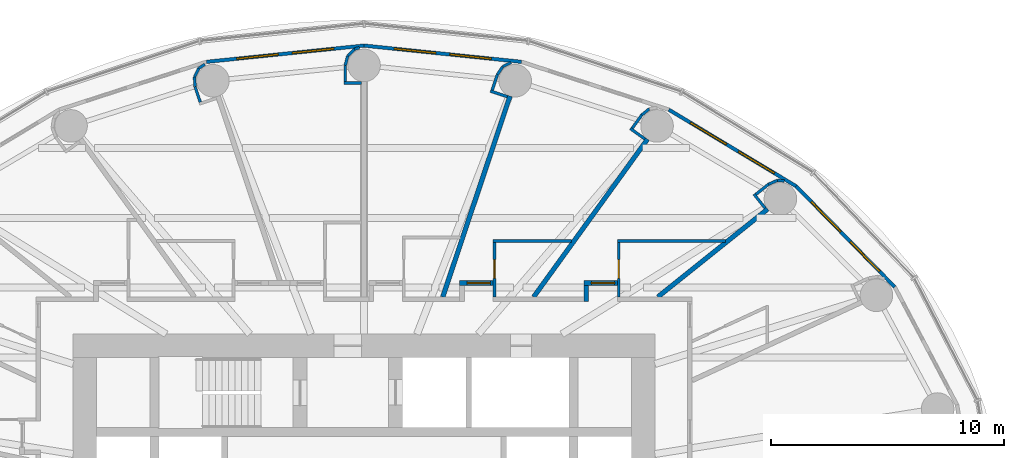
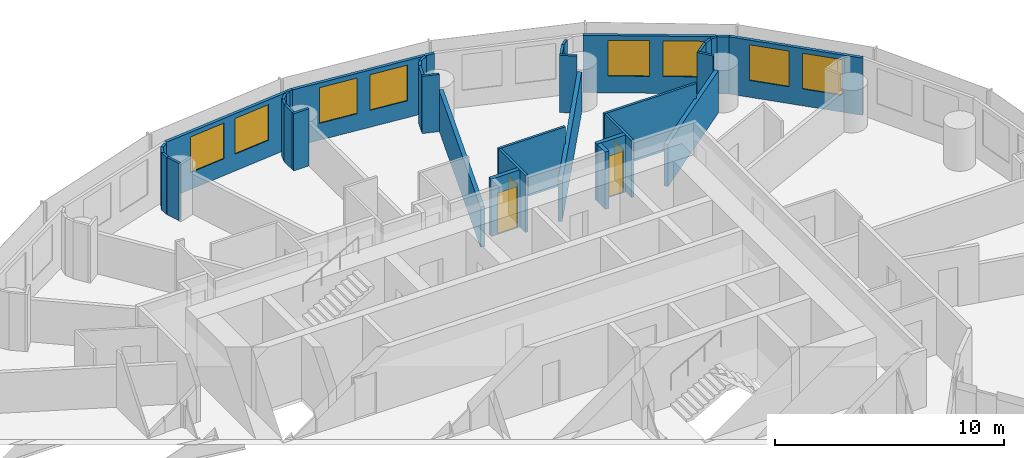
# One storey, part 12 of 14: 34 walls, 8 windows, 4 doors, 12 openings.
"""IFC4 building model written with IfcOpenShell, lengths in metres."""

import ifcopenshell
import ifcopenshell.guid

model = None  # the IFC model being written
_history = None  # IfcOwnerHistory: only IFC2X3 demands one
_inside = {}  # id of a spatial element -> (the spatial element, [elements in it])
_under = {}  # id of a project, library or spatial element -> (it, [spatial elements below it])
_declared = {}  # id of a project -> (the project, [libraries it declares])
_typed = {}  # id of a type object -> (the type object, [elements of that type])
_made_of = {}  # id of a material, layer set ... -> (it, [elements and type objects made of it])


def new_model(schema):
    """Start an empty IFC model of exactly this schema.

    Asked for "IFC4X3", IfcOpenShell would pick the latest addendum, in which some entities
    have other attributes; the version numbers below select the first issue.
    IFC2X3 requires an IfcOwnerHistory on every rooted entity: one is made here for all.
    """
    global model, _history
    if schema == "IFC4X3":
        model = ifcopenshell.file(schema_version=(4, 3, 0, 0))
    else:
        model = ifcopenshell.file(schema=schema)
    _inside.clear()
    _under.clear()
    _declared.clear()
    _typed.clear()
    _made_of.clear()
    _history = None
    if model.schema == "IFC2X3":
        org = make("IfcOrganization", Name="unknown")
        user = make(
            "IfcPersonAndOrganization",
            ThePerson=make("IfcPerson", FamilyName="unknown"),
            TheOrganization=org,
        )
        app = make(
            "IfcApplication",
            ApplicationDeveloper=org,
            Version="unknown",
            ApplicationFullName="unknown",
            ApplicationIdentifier="unknown",
        )
        _history = make(
            "IfcOwnerHistory",
            OwningUser=user,
            OwningApplication=app,
            ChangeAction="ADDED",
            CreationDate=0,
        )
    return model


def make(cls, **values):
    """One entity of the class cls with the attributes given. An attribute that is None is left unset."""
    return model.create_entity(
        cls, **{name: value for name, value in values.items() if value is not None}
    )


def rooted(cls, **values):
    """An entity with a GlobalId (a new one), such as an element, a storey or a relation."""
    return make(cls, GlobalId=ifcopenshell.guid.new(), OwnerHistory=_history, **values)


def si_unit(unit_type, name, prefix=None):
    """IfcSIUnit, for example si_unit("LENGTHUNIT", "METRE", prefix="MILLI")."""
    return make("IfcSIUnit", UnitType=unit_type, Prefix=prefix, Name=name)


def assignment(units):
    """IfcUnitAssignment: the units of a project."""
    return None if units is None else make("IfcUnitAssignment", Units=units)


def point(xyz):
    """IfcCartesianPoint."""
    return None if xyz is None else make("IfcCartesianPoint", Coordinates=xyz)


def direction(xyz):
    """IfcDirection."""
    return None if xyz is None else make("IfcDirection", DirectionRatios=xyz)


def frame(location, z_axis=None, x_axis=None):
    """IfcAxis2Placement3D, a coordinate frame: its origin and axes. An axis left out is left unset."""
    return make(
        "IfcAxis2Placement3D",
        Location=point(location),
        Axis=direction(z_axis),
        RefDirection=direction(x_axis),
    )


def frame_2d(location, x_axis=None):
    """IfcAxis2Placement2D, a coordinate frame in the plane: its origin and x axis."""
    return make(
        "IfcAxis2Placement2D", Location=point(location), RefDirection=direction(x_axis)
    )


def origin():
    """The frame at (0, 0, 0) with its axes left unset."""
    return frame((0.0, 0.0, 0.0))


def place(relative_to, where):
    """IfcLocalPlacement: puts the frame where relative to a parent placement (None: the world)."""
    return make(
        "IfcLocalPlacement", PlacementRelTo=relative_to, RelativePlacement=where
    )


def context(
    kind, dimensions, precision=None, world=None, true_north=None, identifier=None
):
    """IfcGeometricRepresentationContext, for example the 3D "Model" context."""
    return make(
        "IfcGeometricRepresentationContext",
        ContextIdentifier=identifier,
        ContextType=kind,
        CoordinateSpaceDimension=dimensions,
        Precision=precision,
        WorldCoordinateSystem=world,
        TrueNorth=true_north,
    )


def subcontext(parent, identifier, kind, view, scale=None):
    """IfcGeometricRepresentationSubContext, for example "Body" below "Model"."""
    return make(
        "IfcGeometricRepresentationSubContext",
        ContextIdentifier=identifier,
        ContextType=kind,
        ParentContext=parent,
        TargetScale=scale,
        TargetView=view,
    )


def project(units=None, contexts=None):
    """IfcProject with its units and contexts."""
    return rooted(
        "IfcProject",
        Name="project",
        RepresentationContexts=contexts,
        UnitsInContext=assignment(units),
    )


def spatial(cls, under=None, at=None, **own):
    """A site, building, storey or space (cls), placed at a placement, below another one or the project."""
    s = rooted(cls, ObjectPlacement=at, **own)
    if under is not None:
        _under.setdefault(under.id(), (under, []))[1].append(s)
    return s


def profile(cls, at=None, kind="AREA", **sizes):
    """A parametric profile (cls). Its sizes go by their IFC names, for example OverallWidth=200.0."""
    return make(cls, ProfileType=kind, Position=at, **sizes)


def rectangle(**sizes):
    """IfcRectangleProfileDef."""
    return profile("IfcRectangleProfileDef", **sizes)


def extrude(swept, where, along, depth):
    """IfcExtrudedAreaSolid: the profile swept, set in the frame where, extruded along a direction by depth."""
    return make(
        "IfcExtrudedAreaSolid",
        SweptArea=swept,
        Position=where,
        ExtrudedDirection=direction(along),
        Depth=depth,
    )


def shape(context_of_items, identifier, shape_type, items):
    """IfcShapeRepresentation: the items that make up one representation, for example the "Body"."""
    return make(
        "IfcShapeRepresentation",
        ContextOfItems=context_of_items,
        RepresentationIdentifier=identifier,
        RepresentationType=shape_type,
        Items=items,
    )


def material(Name=None, Category=None):
    """IfcMaterial."""
    return make("IfcMaterial", Name=Name, Category=Category)


def layer(
    of_material, thickness, ventilated=None, Name=None, Category=None, Priority=None
):
    """IfcMaterialLayer: one layer of a wall or slab, of a material (None: an air gap)."""
    return make(
        "IfcMaterialLayer",
        Material=of_material,
        LayerThickness=thickness,
        IsVentilated=ventilated,
        Name=Name,
        Category=Category,
        Priority=Priority,
    )


def layer_set(layers, Name=None):
    """IfcMaterialLayerSet."""
    return make("IfcMaterialLayerSet", MaterialLayers=layers, LayerSetName=Name)


def made_of(thing, what):
    """Note that an element or type object is made of a material, layer set ...; save() writes the relation."""
    if what is not None:
        _made_of.setdefault(what.id(), (what, []))[1].append(thing)
    return thing


def type_object(cls, material=None, **own):
    """A type object (cls), such as IfcWallType, which elements share."""
    return made_of(rooted(cls, **own), material)


def element(
    cls,
    number,
    at=None,
    inside=None,
    cuts=None,
    type_object=None,
    material=None,
    context=None,
    identifier="Body",
    shape_type=None,
    held_by="IfcProductDefinitionShape",
    body=None,
    shapes=None,
    **own,
):
    """One element of the class cls, such as IfcWall. Its Tag is "e" and its number.

    at: its placement. inside: the storey or other place that contains it. cuts: it is an
    opening in that element (IfcRelVoidsElement). A single representation is given by context,
    identifier, shape_type and body (its items); several are given by shapes. held_by: the class
    of the entity that holds the representations. save() writes the other relations.
    """
    e = rooted(cls, Tag="e%d" % number, ObjectPlacement=at, **own)
    if body is not None:
        shapes = [shape(context, identifier, shape_type, body)]
    if shapes is not None:
        e.Representation = make(held_by, Representations=shapes)
    if inside is not None:
        _inside.setdefault(inside.id(), (inside, []))[1].append(e)
    if cuts is not None:
        rooted(
            "IfcRelVoidsElement", RelatingBuildingElement=cuts, RelatedOpeningElement=e
        )
    if type_object is not None:
        _typed.setdefault(type_object.id(), (type_object, []))[1].append(e)
    return made_of(e, material)


def fill(opening, filler):
    """IfcRelFillsElement: the door or window that sits in an opening."""
    return rooted(
        "IfcRelFillsElement",
        RelatingOpeningElement=opening,
        RelatedBuildingElement=filler,
    )


def aggregate(whole, parts):
    """IfcRelAggregates: a whole, such as a stair, and the parts it consists of."""
    return rooted("IfcRelAggregates", RelatingObject=whole, RelatedObjects=parts)


def save(model, path):
    """Write the relations noted so far, then the file.

    IfcRelAggregates (storeys below a building ...), IfcRelContainedInSpatialStructure (elements
    in a storey), IfcRelDefinesByType, IfcRelAssociatesMaterial and IfcRelDeclares: one each for
    every whole, place, type object, material and project.
    """
    for whole, parts in _under.values():
        aggregate(whole, parts)
    for where, things in _inside.values():
        rooted(
            "IfcRelContainedInSpatialStructure",
            RelatedElements=things,
            RelatingStructure=where,
        )
    for kind, things in _typed.values():
        rooted("IfcRelDefinesByType", RelatedObjects=things, RelatingType=kind)
    for what, things in _made_of.values():
        rooted("IfcRelAssociatesMaterial", RelatedObjects=things, RelatingMaterial=what)
    for by, libraries in _declared.values():
        rooted("IfcRelDeclares", RelatingContext=by, RelatedDefinitions=libraries)
    model.write(path)


model = new_model("IFC4")

# Units and contexts
model_context = context("Model", 3, precision=1e-05, world=origin(), true_north=direction((0.0, 1.0)))
body_context = subcontext(model_context, "Body", "Model", "MODEL_VIEW")
ifc_project = project(units=[si_unit("LENGTHUNIT", "METRE"), si_unit("AREAUNIT", "SQUARE_METRE"), si_unit("VOLUMEUNIT", "CUBIC_METRE"), si_unit("PLANEANGLEUNIT", "RADIAN"), si_unit("MASSUNIT", "GRAM", prefix="KILO")], contexts=[model_context])

# Site, building, storey
site_placement = place(None, origin())
site = spatial("IfcSite", under=ifc_project, at=site_placement, CompositionType="ELEMENT")
building_placement = place(site_placement, origin())
building = spatial("IfcBuilding", under=site, at=building_placement, Name="Hankou Lantern Tower", CompositionType="ELEMENT")
storey_placement = place(building_placement, frame((0.0, 0.0, 90.300048828125)))
storey = spatial("IfcBuildingStorey", under=building, at=storey_placement, Name="L23", CompositionType="ELEMENT", Elevation=90.300048828125)

# Wall, openings, windows
ifc_material_1 = material(Name="Aluminium spandrel panel on steel studs", Category="steel")
ifc_layer_1 = layer(ifc_material_1, 0.14990234375)
ifc_layer_set_1 = layer_set([ifc_layer_1], Name="Aluminium spandrel panel on steel studs")
wall_type_1 = type_object("IfcWallType", Name="EW1 INNER SKIN WALL 150", PredefinedType="ELEMENTEDWALL", material=ifc_layer_set_1)
wall_1_placement = place(storey_placement, frame((22.802734375, 10.5322265625, 0.0), z_axis=(0.0, 0.0, 1.0), x_axis=(-0.699602905915, 0.714531856557, 0.0)))
wall_1 = element("IfcWall", 1, at=wall_1_placement, inside=storey, type_object=wall_type_1, Name="Inner skin R03-R04 L23", PredefinedType="ELEMENTEDWALL", context=body_context, shape_type="SweptSolid", body=[
    extrude(rectangle(XDim=6.05078125, YDim=0.14990234375, at=frame_2d((3.025390625, 0.0))), origin(), (0.0, 0.0, 1.0), 3.050048828125),
])
opening_1_placement = place(wall_1_placement, frame((0.925537109375, 0.0, 0.89990234375)))
opening_1 = element("IfcOpeningElement", 2, at=opening_1_placement, cuts=wall_1, Name="Opening W1", PredefinedType="OPENING", context=body_context, shape_type="SweptSolid", body=[
    extrude(rectangle(XDim=1.800048828125, YDim=1.89990234375, at=frame_2d((0.89990234375, 0.949951171875))), frame((0.0, 0.0849609375, 0.0), z_axis=(0.0, -1.0, 0.0), x_axis=(1.0, 0.0, 0.0)), (0.0, 0.0, 1.0), 0.169921875),
])
opening_2_placement = place(wall_1_placement, frame((3.325439453125, 0.0, 0.89990234375)))
opening_2 = element("IfcOpeningElement", 3, at=opening_2_placement, cuts=wall_1, Name="Opening W1", PredefinedType="OPENING", context=body_context, shape_type="SweptSolid", body=[
    extrude(rectangle(XDim=1.800048828125, YDim=1.89990234375, at=frame_2d((0.89990234375, 0.949951171875))), frame((0.0, 0.0849609375, 0.0), z_axis=(0.0, -1.0, 0.0), x_axis=(1.0, 0.0, 0.0)), (0.0, 0.0, 1.0), 0.169921875),
])
ifc_material_2 = material(Name="Aluminium framed double glazed window", Category="aluminium")
window_type = type_object("IfcWindowType", Name="W1 GUEST ROOM WINDOW 1800X1900", PartitioningType="DOUBLE_PANEL_VERTICAL", PredefinedType="WINDOW", material=ifc_material_2)
window_1_placement = place(opening_1_placement, origin())
window_1 = element("IfcWindow", 4, at=window_1_placement, inside=storey, type_object=window_type, Name="Window R03.1 L23", OverallHeight=1.89990234375, OverallWidth=1.800048828125, PartitioningType="SINGLE_PANEL", PredefinedType="WINDOW", context=body_context, shape_type="SweptSolid", body=[
    extrude(rectangle(XDim=1.800048828125, YDim=1.89990234375, at=frame_2d((0.89990234375, 0.949951171875))), frame((0.0, 0.030029296875, 0.0), z_axis=(0.0, -1.0, 0.0), x_axis=(1.0, 0.0, 0.0)), (0.0, 0.0, 1.0), 0.06005859375),
])
fill(opening_1, window_1)
window_2_placement = place(opening_2_placement, origin())
window_2 = element("IfcWindow", 5, at=window_2_placement, inside=storey, type_object=window_type, Name="Window R03.2 L23", OverallHeight=1.89990234375, OverallWidth=1.800048828125, PartitioningType="SINGLE_PANEL", PredefinedType="WINDOW", context=body_context, shape_type="SweptSolid", body=[
    extrude(rectangle(XDim=1.800048828125, YDim=1.89990234375, at=frame_2d((0.89990234375, 0.949951171875))), frame((0.0, 0.030029296875, 0.0), z_axis=(0.0, -1.0, 0.0), x_axis=(1.0, 0.0, 0.0)), (0.0, 0.0, 1.0), 0.06005859375),
])
fill(opening_2, window_2)

wall_2_placement = place(storey_placement, frame((18.569580078125, 14.855712890625, 0.0), z_axis=(0.0, 0.0, 1.0), x_axis=(-0.856983180864, 0.515344377787, 0.0)))
wall_2 = element("IfcWall", 6, at=wall_2_placement, inside=storey, type_object=wall_type_1, Name="Inner skin R04-R05 L23", PredefinedType="ELEMENTEDWALL", context=body_context, shape_type="SweptSolid", body=[
    extrude(rectangle(XDim=6.386474609375, YDim=0.14990234375, at=frame_2d((3.193359375, 0.0))), origin(), (0.0, 0.0, 1.0), 3.050048828125),
])
opening_3_placement = place(wall_2_placement, frame((1.09326171875, 0.0, 0.89990234375)))
opening_3 = element("IfcOpeningElement", 7, at=opening_3_placement, cuts=wall_2, Name="Opening W1", PredefinedType="OPENING", context=body_context, shape_type="SweptSolid", body=[
    extrude(rectangle(XDim=1.800048828125, YDim=1.89990234375, at=frame_2d((0.89990234375, 0.949951171875))), frame((0.0, 0.0849609375, 0.0), z_axis=(0.0, -1.0, 0.0), x_axis=(1.0, 0.0, 0.0)), (0.0, 0.0, 1.0), 0.169921875),
])
opening_4_placement = place(wall_2_placement, frame((3.4931640625, 0.0, 0.89990234375)))
opening_4 = element("IfcOpeningElement", 8, at=opening_4_placement, cuts=wall_2, Name="Opening W1", PredefinedType="OPENING", context=body_context, shape_type="SweptSolid", body=[
    extrude(rectangle(XDim=1.800048828125, YDim=1.89990234375, at=frame_2d((0.89990234375, 0.949951171875))), frame((0.0, 0.0849609375, 0.0), z_axis=(0.0, -1.0, 0.0), x_axis=(1.0, 0.0, 0.0)), (0.0, 0.0, 1.0), 0.169921875),
])
window_3_placement = place(opening_3_placement, origin())
window_3 = element("IfcWindow", 9, at=window_3_placement, inside=storey, type_object=window_type, Name="Window R04.1 L23", OverallHeight=1.89990234375, OverallWidth=1.800048828125, PartitioningType="SINGLE_PANEL", PredefinedType="WINDOW", context=body_context, shape_type="SweptSolid", body=[
    extrude(rectangle(XDim=1.800048828125, YDim=1.89990234375, at=frame_2d((0.89990234375, 0.949951171875))), frame((0.0, 0.030029296875, 0.0), z_axis=(0.0, -1.0, 0.0), x_axis=(1.0, 0.0, 0.0)), (0.0, 0.0, 1.0), 0.06005859375),
])
fill(opening_3, window_3)
window_4_placement = place(opening_4_placement, origin())
window_4 = element("IfcWindow", 10, at=window_4_placement, inside=storey, type_object=window_type, Name="Window R04.2 L23", OverallHeight=1.89990234375, OverallWidth=1.800048828125, PartitioningType="SINGLE_PANEL", PredefinedType="WINDOW", context=body_context, shape_type="SweptSolid", body=[
    extrude(rectangle(XDim=1.800048828125, YDim=1.89990234375, at=frame_2d((0.89990234375, 0.949951171875))), frame((0.0, 0.030029296875, 0.0), z_axis=(0.0, -1.0, 0.0), x_axis=(1.0, 0.0, 0.0)), (0.0, 0.0, 1.0), 0.06005859375),
])
fill(opening_4, window_4)

wall_3_placement = place(storey_placement, frame((6.766357421875, 20.201904296875, 0.0), z_axis=(0.0, 0.0, 1.0), x_axis=(-0.994721394369, 0.102612609291, 0.0)))
wall_3 = element("IfcWall", 11, at=wall_3_placement, inside=storey, type_object=wall_type_1, Name="Inner skin R06-R07 L23", PredefinedType="ELEMENTEDWALL", context=body_context, shape_type="SweptSolid", body=[
    extrude(rectangle(XDim=6.80224609375, YDim=0.14990234375, at=frame_2d((3.401123046875, 0.0))), origin(), (0.0, 0.0, 1.0), 3.050048828125),
])
opening_5_placement = place(wall_3_placement, frame((1.301025390625, 0.0, 0.89990234375)))
opening_5 = element("IfcOpeningElement", 12, at=opening_5_placement, cuts=wall_3, Name="Opening W1", PredefinedType="OPENING", context=body_context, shape_type="SweptSolid", body=[
    extrude(rectangle(XDim=1.800048828125, YDim=1.89990234375, at=frame_2d((0.89990234375, 0.949951171875))), frame((0.0, 0.0849609375, 0.0), z_axis=(0.0, -1.0, 0.0), x_axis=(1.0, 0.0, 0.0)), (0.0, 0.0, 1.0), 0.169921875),
])
opening_6_placement = place(wall_3_placement, frame((3.701171875, 0.0, 0.89990234375)))
opening_6 = element("IfcOpeningElement", 13, at=opening_6_placement, cuts=wall_3, Name="Opening W1", PredefinedType="OPENING", context=body_context, shape_type="SweptSolid", body=[
    extrude(rectangle(XDim=1.800048828125, YDim=1.89990234375, at=frame_2d((0.89990234375, 0.949951171875))), frame((0.0, 0.0849609375, 0.0), z_axis=(0.0, -1.0, 0.0), x_axis=(1.0, 0.0, 0.0)), (0.0, 0.0, 1.0), 0.169921875),
])
window_5_placement = place(opening_5_placement, origin())
window_5 = element("IfcWindow", 14, at=window_5_placement, inside=storey, type_object=window_type, Name="Window R06.1 L23", OverallHeight=1.89990234375, OverallWidth=1.800048828125, PartitioningType="SINGLE_PANEL", PredefinedType="WINDOW", context=body_context, shape_type="SweptSolid", body=[
    extrude(rectangle(XDim=1.800048828125, YDim=1.89990234375, at=frame_2d((0.89990234375, 0.949951171875))), frame((0.0, 0.030029296875, 0.0), z_axis=(0.0, -1.0, 0.0), x_axis=(1.0, 0.0, 0.0)), (0.0, 0.0, 1.0), 0.06005859375),
])
fill(opening_5, window_5)
window_6_placement = place(opening_6_placement, origin())
window_6 = element("IfcWindow", 15, at=window_6_placement, inside=storey, type_object=window_type, Name="Window R06.2 L23", OverallHeight=1.89990234375, OverallWidth=1.800048828125, PartitioningType="SINGLE_PANEL", PredefinedType="WINDOW", context=body_context, shape_type="SweptSolid", body=[
    extrude(rectangle(XDim=1.800048828125, YDim=1.89990234375, at=frame_2d((0.89990234375, 0.949951171875))), frame((0.0, 0.030029296875, 0.0), z_axis=(0.0, -1.0, 0.0), x_axis=(1.0, 0.0, 0.0)), (0.0, 0.0, 1.0), 0.06005859375),
])
fill(opening_6, window_6)

wall_4_placement = place(storey_placement, frame((0.0, 20.89990234375, 0.0), z_axis=(0.0, 0.0, 1.0), x_axis=(-0.994721394369, -0.102612609291, 0.0)))
wall_4 = element("IfcWall", 16, at=wall_4_placement, inside=storey, type_object=wall_type_1, Name="Inner skin R07-R08 L23", PredefinedType="ELEMENTEDWALL", context=body_context, shape_type="SweptSolid", body=[
    extrude(rectangle(XDim=6.80224609375, YDim=0.14990234375, at=frame_2d((3.401123046875, 0.0))), origin(), (0.0, 0.0, 1.0), 3.050048828125),
])
opening_7_placement = place(wall_4_placement, frame((1.301025390625, 0.0, 0.89990234375)))
opening_7 = element("IfcOpeningElement", 17, at=opening_7_placement, cuts=wall_4, Name="Opening W1", PredefinedType="OPENING", context=body_context, shape_type="SweptSolid", body=[
    extrude(rectangle(XDim=1.800048828125, YDim=1.89990234375, at=frame_2d((0.89990234375, 0.949951171875))), frame((0.0, 0.0849609375, 0.0), z_axis=(0.0, -1.0, 0.0), x_axis=(1.0, 0.0, 0.0)), (0.0, 0.0, 1.0), 0.169921875),
])
opening_8_placement = place(wall_4_placement, frame((3.701171875, 0.0, 0.89990234375)))
opening_8 = element("IfcOpeningElement", 18, at=opening_8_placement, cuts=wall_4, Name="Opening W1", PredefinedType="OPENING", context=body_context, shape_type="SweptSolid", body=[
    extrude(rectangle(XDim=1.800048828125, YDim=1.89990234375, at=frame_2d((0.89990234375, 0.949951171875))), frame((0.0, 0.0849609375, 0.0), z_axis=(0.0, -1.0, 0.0), x_axis=(1.0, 0.0, 0.0)), (0.0, 0.0, 1.0), 0.169921875),
])
window_7_placement = place(opening_7_placement, origin())
window_7 = element("IfcWindow", 19, at=window_7_placement, inside=storey, type_object=window_type, Name="Window R07.1 L23", OverallHeight=1.89990234375, OverallWidth=1.800048828125, PartitioningType="SINGLE_PANEL", PredefinedType="WINDOW", context=body_context, shape_type="SweptSolid", body=[
    extrude(rectangle(XDim=1.800048828125, YDim=1.89990234375, at=frame_2d((0.89990234375, 0.949951171875))), frame((0.0, 0.030029296875, 0.0), z_axis=(0.0, -1.0, 0.0), x_axis=(1.0, 0.0, 0.0)), (0.0, 0.0, 1.0), 0.06005859375),
])
fill(opening_7, window_7)
window_8_placement = place(opening_8_placement, origin())
window_8 = element("IfcWindow", 20, at=window_8_placement, inside=storey, type_object=window_type, Name="Window R07.2 L23", OverallHeight=1.89990234375, OverallWidth=1.800048828125, PartitioningType="SINGLE_PANEL", PredefinedType="WINDOW", context=body_context, shape_type="SweptSolid", body=[
    extrude(rectangle(XDim=1.800048828125, YDim=1.89990234375, at=frame_2d((0.89990234375, 0.949951171875))), frame((0.0, 0.030029296875, 0.0), z_axis=(0.0, -1.0, 0.0), x_axis=(1.0, 0.0, 0.0)), (0.0, 0.0, 1.0), 0.06005859375),
])
fill(opening_8, window_8)

# Walls
ifc_material_3 = material(Name="Masonry lightweight concrete block", Category="masonry")
ifc_layer_2 = layer(ifc_material_3, 0.199951171875)
ifc_layer_set_2 = layer_set([ifc_layer_2], Name="Masonry lightweight concrete block")
wall_type_2 = type_object("IfcWallType", Name="IW1 GUEST ROOM PARTY WALL 200", PredefinedType="PARTITIONING", material=ifc_layer_set_2)
wall_5_placement = place(storey_placement, frame((12.625, 10.10009765625, 0.0), z_axis=(0.0, 0.0, 1.0), x_axis=(0.780892451574, 0.624665493744, 0.0)))
element("IfcWall", 21, at=wall_5_placement, inside=storey, type_object=wall_type_2, Name="Party wall R04", PredefinedType="PARTITIONING", context=body_context, shape_type="SweptSolid", body=[
    extrude(rectangle(XDim=6.044677734375, YDim=0.199951171875, at=frame_2d((3.0224609375, 0.0))), origin(), (0.0, 0.0, 1.0), 2.25),
])
wall_6_placement = place(storey_placement, frame((7.2890625, 10.10009765625, 0.0), z_axis=(0.0, 0.0, 1.0), x_axis=(0.585198353053, 0.810890182197, 0.0)))
element("IfcWall", 22, at=wall_6_placement, inside=storey, type_object=wall_type_2, Name="Party wall R05", PredefinedType="PARTITIONING", context=body_context, shape_type="SweptSolid", body=[
    extrude(rectangle(XDim=8.359619140625, YDim=0.199951171875, at=frame_2d((4.1796875, 0.0))), origin(), (0.0, 0.0, 1.0), 2.14990234375),
])
wall_7_placement = place(storey_placement, frame((3.3828125, 10.10009765625, 0.0), z_axis=(0.0, 0.0, 1.0), x_axis=(0.31759592231, 0.948226149256, 0.0)))
element("IfcWall", 23, at=wall_7_placement, inside=storey, type_object=wall_type_2, Name="Party wall R06", PredefinedType="PARTITIONING", context=body_context, shape_type="SweptSolid", body=[
    extrude(rectangle(XDim=9.098388671875, YDim=0.199951171875, at=frame_2d((4.54931640625, 0.0))), origin(), (0.0, 0.0, 1.0), 2.14990234375),
])

# Wall, opening, door
ifc_material_4 = material(Name="Masonry lightweight concrete block", Category="masonry")
ifc_layer_3 = layer(ifc_material_4, 0.199951171875)
ifc_layer_set_3 = layer_set([ifc_layer_3], Name="Masonry lightweight concrete block")
wall_type_3 = type_object("IfcWallType", Name="IW2 CORRIDOR WALL 200", PredefinedType="PARTITIONING", material=ifc_layer_set_3)
wall_8_placement = place(storey_placement, frame((9.445068359375, 10.699951171875, 0.0), z_axis=(0.0, 0.0, 1.0), x_axis=(1.0, 0.0, 0.0)))
wall_8 = element("IfcWall", 24, at=wall_8_placement, inside=storey, type_object=wall_type_3, Name="Corridor recess wall 2310 back", PredefinedType="PARTITIONING", context=body_context, shape_type="SweptSolid", body=[
    extrude(rectangle(XDim=1.43994140625, YDim=0.199951171875, at=frame_2d((0.719970703125, 0.0))), origin(), (0.0, 0.0, 1.0), 3.050048828125),
])
opening_9_placement = place(wall_8_placement, frame((0.320068359375, 0.0, 0.0)))
opening_9 = element("IfcOpeningElement", 25, at=opening_9_placement, cuts=wall_8, Name="Opening D1", PredefinedType="OPENING", context=body_context, shape_type="SweptSolid", body=[
    extrude(rectangle(XDim=1.0, YDim=2.199951171875, at=frame_2d((0.5, 1.10009765625))), frame((0.0, 0.10986328125, 0.0), z_axis=(0.0, -1.0, 0.0), x_axis=(1.0, 0.0, 0.0)), (0.0, 0.0, 1.0), 0.219970703125),
])
ifc_material_5 = material(Name="Steel door leaf", Category="steel")
door_type_1 = type_object("IfcDoorType", Name="D1 GUEST ROOM DOOR 1000X2200", OperationType="SINGLE_SWING_LEFT", PredefinedType="DOOR", material=ifc_material_5)
door_1_placement = place(opening_9_placement, origin())
door_1 = element("IfcDoor", 26, at=door_1_placement, inside=storey, type_object=door_type_1, Name="Guest room door 2310", OperationType="SINGLE_SWING_RIGHT", OverallHeight=2.199951171875, OverallWidth=1.0, PredefinedType="DOOR", context=body_context, shape_type="SweptSolid", body=[
    extrude(rectangle(XDim=1.0, YDim=2.199951171875, at=frame_2d((0.5, 1.10009765625))), frame((0.0, 0.02490234375, 0.0), z_axis=(0.0, -1.0, 0.0), x_axis=(1.0, 0.0, 0.0)), (0.0, 0.0, 1.0), 0.050048828125),
])
fill(opening_9, door_1)

# Wall
wall_9_placement = place(storey_placement, frame((9.544921875, 9.89990234375, 0.0), z_axis=(0.0, 0.0, 1.0), x_axis=(0.0, 1.0, 0.0)))
element("IfcWall", 27, at=wall_9_placement, inside=storey, type_object=wall_type_3, Name="Corridor recess wall 2310 side", PredefinedType="PARTITIONING", context=body_context, shape_type="SweptSolid", body=[
    extrude(rectangle(XDim=0.7001953125, YDim=0.199951171875, at=frame_2d((0.35009765625, 0.0))), origin(), (0.0, 0.0, 1.0), 3.050048828125),
])

# Wall, opening, door
wall_10_placement = place(storey_placement, frame((4.109130859375, 10.699951171875, 0.0), z_axis=(0.0, 0.0, 1.0), x_axis=(1.0, 0.0, 0.0)))
wall_10 = element("IfcWall", 28, at=wall_10_placement, inside=storey, type_object=wall_type_3, Name="Corridor recess wall 2311 back", PredefinedType="PARTITIONING", context=body_context, shape_type="SweptSolid", body=[
    extrude(rectangle(XDim=1.43994140625, YDim=0.199951171875, at=frame_2d((0.719970703125, 0.0))), origin(), (0.0, 0.0, 1.0), 3.050048828125),
])
opening_10_placement = place(wall_10_placement, frame((0.320068359375, 0.0, 0.0)))
opening_10 = element("IfcOpeningElement", 29, at=opening_10_placement, cuts=wall_10, Name="Opening D1", PredefinedType="OPENING", context=body_context, shape_type="SweptSolid", body=[
    extrude(rectangle(XDim=1.0, YDim=2.199951171875, at=frame_2d((0.5, 1.10009765625))), frame((0.0, 0.10986328125, 0.0), z_axis=(0.0, -1.0, 0.0), x_axis=(1.0, 0.0, 0.0)), (0.0, 0.0, 1.0), 0.219970703125),
])
door_2_placement = place(opening_10_placement, origin())
door_2 = element("IfcDoor", 30, at=door_2_placement, inside=storey, type_object=door_type_1, Name="Guest room door 2311", OperationType="SINGLE_SWING_RIGHT", OverallHeight=2.199951171875, OverallWidth=1.0, PredefinedType="DOOR", context=body_context, shape_type="SweptSolid", body=[
    extrude(rectangle(XDim=1.0, YDim=2.199951171875, at=frame_2d((0.5, 1.10009765625))), frame((0.0, 0.02490234375, 0.0), z_axis=(0.0, -1.0, 0.0), x_axis=(1.0, 0.0, 0.0)), (0.0, 0.0, 1.0), 0.050048828125),
])
fill(opening_10, door_2)

# Wall
ifc_material_6 = material(Name="Masonry lightweight concrete block", Category="masonry")
ifc_layer_4 = layer(ifc_material_6, 0.1201171875)
ifc_layer_set_4 = layer_set([ifc_layer_4], Name="Masonry lightweight concrete block")
wall_type_4 = type_object("IfcWallType", Name="IW3 BATHROOM WALL 120", PredefinedType="PARTITIONING", material=ifc_layer_set_4)
wall_11_placement = place(storey_placement, frame((15.52490234375, 12.5, 0.0), z_axis=(0.0, 0.0, 1.0), x_axis=(-1.0, 0.0, 0.0)))
element("IfcWall", 31, at=wall_11_placement, inside=storey, type_object=wall_type_4, Name="Box wall 2310 1", PredefinedType="PARTITIONING", context=body_context, shape_type="SweptSolid", body=[
    extrude(rectangle(XDim=4.639892578125, YDim=0.1201171875, at=frame_2d((2.31982421875, 0.0))), origin(), (0.0, 0.0, 1.0), 3.050048828125),
])

# Wall, opening, door
wall_12_placement = place(storey_placement, frame((10.945068359375, 10.10009765625, 0.0), z_axis=(0.0, 0.0, 1.0), x_axis=(0.0, 1.0, 0.0)))
wall_12 = element("IfcWall", 32, at=wall_12_placement, inside=storey, type_object=wall_type_4, Name="Box wall 2310 1", PredefinedType="PARTITIONING", context=body_context, shape_type="SweptSolid", body=[
    extrude(rectangle(XDim=2.33984375, YDim=0.1201171875, at=frame_2d((1.169921875, 0.0))), origin(), (0.0, 0.0, 1.0), 3.050048828125),
])
opening_11_placement = place(wall_12_placement, frame((0.800048828125, 0.0, 0.0)))
opening_11 = element("IfcOpeningElement", 33, at=opening_11_placement, cuts=wall_12, Name="Opening D3", PredefinedType="OPENING", context=body_context, shape_type="SweptSolid", body=[
    extrude(rectangle(XDim=0.800048828125, YDim=2.10009765625, at=frame_2d((0.39990234375, 1.050048828125))), frame((0.0, 0.070068359375, 0.0), z_axis=(0.0, -1.0, 0.0), x_axis=(1.0, 0.0, 0.0)), (0.0, 0.0, 1.0), 0.14013671875),
])
ifc_material_7 = material(Name="Timber door leaf", Category="wood")
door_type_2 = type_object("IfcDoorType", Name="D3 BATHROOM DOOR 800X2100", OperationType="SINGLE_SWING_LEFT", PredefinedType="DOOR", material=ifc_material_7)
door_3_placement = place(opening_11_placement, origin())
door_3 = element("IfcDoor", 34, at=door_3_placement, inside=storey, type_object=door_type_2, Name="En-suite bathroom 2310 door", OperationType="SINGLE_SWING_LEFT", OverallHeight=2.10009765625, OverallWidth=0.800048828125, PredefinedType="DOOR", context=body_context, shape_type="SweptSolid", body=[
    extrude(rectangle(XDim=0.800048828125, YDim=2.10009765625, at=frame_2d((0.39990234375, 1.050048828125))), frame((0.0, 0.02490234375, 0.0), z_axis=(0.0, -1.0, 0.0), x_axis=(1.0, 0.0, 0.0)), (0.0, 0.0, 1.0), 0.050048828125),
])
fill(opening_11, door_3)

# Wall
wall_13_placement = place(storey_placement, frame((8.921142578125, 12.5, 0.0), z_axis=(0.0, 0.0, 1.0), x_axis=(-1.0, 0.0, 0.0)))
element("IfcWall", 35, at=wall_13_placement, inside=storey, type_object=wall_type_4, Name="Box wall 2311 1", PredefinedType="PARTITIONING", context=body_context, shape_type="SweptSolid", body=[
    extrude(rectangle(XDim=3.3720703125, YDim=0.1201171875, at=frame_2d((1.68603515625, 0.0))), origin(), (0.0, 0.0, 1.0), 3.050048828125),
])

# Wall, opening, door
wall_14_placement = place(storey_placement, frame((5.609130859375, 10.10009765625, 0.0), z_axis=(0.0, 0.0, 1.0), x_axis=(0.0, 1.0, 0.0)))
wall_14 = element("IfcWall", 36, at=wall_14_placement, inside=storey, type_object=wall_type_4, Name="Box wall 2311 1", PredefinedType="PARTITIONING", context=body_context, shape_type="SweptSolid", body=[
    extrude(rectangle(XDim=2.33984375, YDim=0.1201171875, at=frame_2d((1.169921875, 0.0))), origin(), (0.0, 0.0, 1.0), 3.050048828125),
])
opening_12_placement = place(wall_14_placement, frame((0.800048828125, 0.0, 0.0)))
opening_12 = element("IfcOpeningElement", 37, at=opening_12_placement, cuts=wall_14, Name="Opening D3", PredefinedType="OPENING", context=body_context, shape_type="SweptSolid", body=[
    extrude(rectangle(XDim=0.800048828125, YDim=2.10009765625, at=frame_2d((0.39990234375, 1.050048828125))), frame((0.0, 0.070068359375, 0.0), z_axis=(0.0, -1.0, 0.0), x_axis=(1.0, 0.0, 0.0)), (0.0, 0.0, 1.0), 0.14013671875),
])
door_4_placement = place(opening_12_placement, origin())
door_4 = element("IfcDoor", 38, at=door_4_placement, inside=storey, type_object=door_type_2, Name="En-suite bathroom 2311 door", OperationType="SINGLE_SWING_LEFT", OverallHeight=2.10009765625, OverallWidth=0.800048828125, PredefinedType="DOOR", context=body_context, shape_type="SweptSolid", body=[
    extrude(rectangle(XDim=0.800048828125, YDim=2.10009765625, at=frame_2d((0.39990234375, 1.050048828125))), frame((0.0, 0.02490234375, 0.0), z_axis=(0.0, -1.0, 0.0), x_axis=(1.0, 0.0, 0.0)), (0.0, 0.0, 1.0), 0.050048828125),
])
fill(opening_12, door_4)

# Walls
ifc_material_8 = material(Name="Masonry lightweight concrete block", Category="masonry")
ifc_layer_5 = layer(ifc_material_8, 0.1201171875)
ifc_layer_set_5 = layer_set([ifc_layer_5], Name="Masonry lightweight concrete block")
wall_type_5 = type_object("IfcWallType", Name="IW4 PARTITION 120", PredefinedType="PARTITIONING", material=ifc_layer_set_5)
wall_15_placement = place(storey_placement, frame((17.23583984375, 13.916748046875, 0.0), z_axis=(0.0, 0.0, 1.0), x_axis=(-0.624695047554, 0.780868809443, 0.0)))
element("IfcWall", 39, at=wall_15_placement, inside=storey, type_object=wall_type_5, Name="Column casing R04 return", PredefinedType="PARTITIONING", context=body_context, shape_type="SweptSolid", body=[
    extrude(rectangle(XDim=0.767578125, YDim=0.1201171875, at=frame_2d((0.3837890625, 0.0))), origin(), (0.0, 0.0, 1.0), 3.050048828125),
])
wall_16_placement = place(storey_placement, frame((16.840576171875, 14.506591796875, 0.0), z_axis=(0.0, 0.0, 1.0), x_axis=(0.780902834923, 0.62465251333, 0.0)))
element("IfcWall", 40, at=wall_16_placement, inside=storey, type_object=wall_type_5, Name="Column casing R04", PredefinedType="PARTITIONING", context=body_context, shape_type="SweptSolid", body=[
    extrude(rectangle(XDim=0.699951171875, YDim=0.1201171875, at=frame_2d((0.35009765625, 0.0))), origin(), (0.0, 0.0, 1.0), 3.050048828125),
])
wall_17_placement = place(storey_placement, frame((17.38720703125, 14.94384765625, 0.0), z_axis=(0.0, 0.0, 1.0), x_axis=(0.916036698064, 0.401094462441, 0.0)))
element("IfcWall", 41, at=wall_17_placement, inside=storey, type_object=wall_type_5, Name="Column casing R04", PredefinedType="PARTITIONING", context=body_context, shape_type="SweptSolid", body=[
    extrude(rectangle(XDim=0.418212890625, YDim=0.1201171875, at=frame_2d((0.208984375, 0.0))), origin(), (0.0, 0.0, 1.0), 3.050048828125),
])
wall_18_placement = place(storey_placement, frame((17.770263671875, 15.111572265625, 0.0), z_axis=(0.0, 0.0, 1.0), x_axis=(0.993904401174, -0.110245368731, 0.0)))
element("IfcWall", 42, at=wall_18_placement, inside=storey, type_object=wall_type_5, Name="Column casing R04", PredefinedType="PARTITIONING", context=body_context, shape_type="SweptSolid", body=[
    extrude(rectangle(XDim=0.287841796875, YDim=0.1201171875, at=frame_2d((0.14404296875, 0.0))), origin(), (0.0, 0.0, 1.0), 3.050048828125),
])
wall_19_placement = place(storey_placement, frame((12.06494140625, 16.888671875, 0.0), z_axis=(0.0, 0.0, 1.0), x_axis=(-0.810821798253, 0.585293098778, 0.0)))
element("IfcWall", 43, at=wall_19_placement, inside=storey, type_object=wall_type_5, Name="Column casing R05 return", PredefinedType="PARTITIONING", context=body_context, shape_type="SweptSolid", body=[
    extrude(rectangle(XDim=0.767578125, YDim=0.1201171875, at=frame_2d((0.3837890625, 0.0))), origin(), (0.0, 0.0, 1.0), 3.050048828125),
])
wall_20_placement = place(storey_placement, frame((11.5263671875, 17.351318359375, 0.0), z_axis=(0.0, 0.0, 1.0), x_axis=(0.585223113993, 0.810872312296, 0.0)))
element("IfcWall", 44, at=wall_20_placement, inside=storey, type_object=wall_type_5, Name="Column casing R05", PredefinedType="PARTITIONING", context=body_context, shape_type="SweptSolid", body=[
    extrude(rectangle(XDim=0.699951171875, YDim=0.1201171875, at=frame_2d((0.35009765625, 0.0))), origin(), (0.0, 0.0, 1.0), 3.050048828125),
])
wall_21_placement = place(storey_placement, frame((11.93603515625, 17.9189453125, 0.0), z_axis=(0.0, 0.0, 1.0), x_axis=(0.775023088441, 0.631932917629, 0.0)))
element("IfcWall", 45, at=wall_21_placement, inside=storey, type_object=wall_type_5, Name="Column casing R05", PredefinedType="PARTITIONING", context=body_context, shape_type="SweptSolid", body=[
    extrude(rectangle(XDim=0.41796875, YDim=0.1201171875, at=frame_2d((0.208984375, 0.0))), origin(), (0.0, 0.0, 1.0), 3.050048828125),
])
wall_22_placement = place(storey_placement, frame((6.15869140625, 18.702392578125, 0.0), z_axis=(0.0, 0.0, 1.0), x_axis=(-0.948173154049, 0.31775410295, 0.0)))
element("IfcWall", 46, at=wall_22_placement, inside=storey, type_object=wall_type_5, Name="Column casing R06 return", PredefinedType="PARTITIONING", context=body_context, shape_type="SweptSolid", body=[
    extrude(rectangle(XDim=0.767578125, YDim=0.1201171875, at=frame_2d((0.3837890625, 0.0))), origin(), (0.0, 0.0, 1.0), 3.050048828125),
])
wall_23_placement = place(storey_placement, frame((5.5068359375, 18.984130859375, 0.0), z_axis=(0.0, 0.0, 1.0), x_axis=(0.317692050622, 0.948193946918, 0.0)))
element("IfcWall", 47, at=wall_23_placement, inside=storey, type_object=wall_type_5, Name="Column casing R06", PredefinedType="PARTITIONING", context=body_context, shape_type="SweptSolid", body=[
    extrude(rectangle(XDim=0.7001953125, YDim=0.1201171875, at=frame_2d((0.35009765625, 0.0))), origin(), (0.0, 0.0, 1.0), 3.050048828125),
])
wall_24_placement = place(storey_placement, frame((5.729248046875, 19.64794921875, 0.0), z_axis=(0.0, 0.0, 1.0), x_axis=(0.552135764955, 0.833754218615, 0.0)))
element("IfcWall", 48, at=wall_24_placement, inside=storey, type_object=wall_type_5, Name="Column casing R06", PredefinedType="PARTITIONING", context=body_context, shape_type="SweptSolid", body=[
    extrude(rectangle(XDim=0.41796875, YDim=0.1201171875, at=frame_2d((0.208984375, 0.0))), origin(), (0.0, 0.0, 1.0), 3.050048828125),
])
wall_25_placement = place(storey_placement, frame((5.9599609375, 19.996337890625, 0.0), z_axis=(0.0, 0.0, 1.0), x_axis=(0.895160725913, 0.445743507842, 0.0)))
element("IfcWall", 49, at=wall_25_placement, inside=storey, type_object=wall_type_5, Name="Column casing R06", PredefinedType="PARTITIONING", context=body_context, shape_type="SweptSolid", body=[
    extrude(rectangle(XDim=0.398681640625, YDim=0.1201171875, at=frame_2d((0.19921875, 0.0))), origin(), (0.0, 0.0, 1.0), 3.050048828125),
])
wall_26_placement = place(storey_placement, frame((-0.10009765625, 19.2900390625, 0.0), z_axis=(0.0, 0.0, 1.0), x_axis=(-1.0, 0.0, 0.0)))
element("IfcWall", 50, at=wall_26_placement, inside=storey, type_object=wall_type_5, Name="Column casing R07 return", PredefinedType="PARTITIONING", context=body_context, shape_type="SweptSolid", body=[
    extrude(rectangle(XDim=0.767333984375, YDim=0.1201171875, at=frame_2d((0.3837890625, 0.0))), origin(), (0.0, 0.0, 1.0), 3.050048828125),
])
wall_27_placement = place(storey_placement, frame((-0.8076171875, 19.35009765625, 0.0), z_axis=(0.0, 0.0, 1.0), x_axis=(0.0, 1.0, 0.0)))
element("IfcWall", 51, at=wall_27_placement, inside=storey, type_object=wall_type_5, Name="Column casing R07", PredefinedType="PARTITIONING", context=body_context, shape_type="SweptSolid", body=[
    extrude(rectangle(XDim=0.699951171875, YDim=0.1201171875, at=frame_2d((0.35009765625, 0.0))), origin(), (0.0, 0.0, 1.0), 3.050048828125),
])
wall_28_placement = place(storey_placement, frame((-0.8076171875, 20.050048828125, 0.0), z_axis=(0.0, 0.0, 1.0), x_axis=(0.2592614205, 0.965807183573, 0.0)))
element("IfcWall", 52, at=wall_28_placement, inside=storey, type_object=wall_type_5, Name="Column casing R07", PredefinedType="PARTITIONING", context=body_context, shape_type="SweptSolid", body=[
    extrude(rectangle(XDim=0.418212890625, YDim=0.1201171875, at=frame_2d((0.208984375, 0.0))), origin(), (0.0, 0.0, 1.0), 3.050048828125),
])
wall_29_placement = place(storey_placement, frame((-0.69921875, 20.453857421875, 0.0), z_axis=(0.0, 0.0, 1.0), x_axis=(0.707106781187, 0.707106781187, 0.0)))
element("IfcWall", 53, at=wall_29_placement, inside=storey, type_object=wall_type_5, Name="Column casing R07", PredefinedType="PARTITIONING", context=body_context, shape_type="SweptSolid", body=[
    extrude(rectangle(XDim=0.417724609375, YDim=0.1201171875, at=frame_2d((0.208984375, 0.0))), origin(), (0.0, 0.0, 1.0), 3.050048828125),
])
wall_30_placement = place(storey_placement, frame((-0.40380859375, 20.749267578125, 0.0), z_axis=(0.0, 0.0, 1.0), x_axis=(0.965759066438, 0.25944060128, 0.0)))
element("IfcWall", 54, at=wall_30_placement, inside=storey, type_object=wall_type_5, Name="Column casing R07", PredefinedType="PARTITIONING", context=body_context, shape_type="SweptSolid", body=[
    extrude(rectangle(XDim=0.213623046875, YDim=0.1201171875, at=frame_2d((0.10693359375, 0.0))), origin(), (0.0, 0.0, 1.0), 3.050048828125),
])
wall_31_placement = place(storey_placement, frame((-7.038330078125, 18.47119140625, 0.0), z_axis=(0.0, 0.0, 1.0), x_axis=(-0.317378466199, 0.9482989556, 0.0)))
element("IfcWall", 55, at=wall_31_placement, inside=storey, type_object=wall_type_5, Name="Column casing R08", PredefinedType="PARTITIONING", context=body_context, shape_type="SweptSolid", body=[
    extrude(rectangle(XDim=0.699951171875, YDim=0.1201171875, at=frame_2d((0.35009765625, 0.0))), origin(), (0.0, 0.0, 1.0), 3.050048828125),
])
wall_32_placement = place(storey_placement, frame((-7.260498046875, 19.135009765625, 0.0), z_axis=(0.0, 0.0, 1.0), x_axis=(-0.0613238046, 0.99811792439, 0.0)))
element("IfcWall", 56, at=wall_32_placement, inside=storey, type_object=wall_type_5, Name="Column casing R08", PredefinedType="PARTITIONING", context=body_context, shape_type="SweptSolid", body=[
    extrude(rectangle(XDim=0.41796875, YDim=0.1201171875, at=frame_2d((0.208984375, 0.0))), origin(), (0.0, 0.0, 1.0), 3.050048828125),
])
wall_33_placement = place(storey_placement, frame((-7.2861328125, 19.55224609375, 0.0), z_axis=(0.0, 0.0, 1.0), x_axis=(0.445810757773, 0.89512723579, 0.0)))
element("IfcWall", 57, at=wall_33_placement, inside=storey, type_object=wall_type_5, Name="Column casing R08", PredefinedType="PARTITIONING", context=body_context, shape_type="SweptSolid", body=[
    extrude(rectangle(XDim=0.417724609375, YDim=0.1201171875, at=frame_2d((0.208984375, 0.0))), origin(), (0.0, 0.0, 1.0), 3.050048828125),
])
wall_34_placement = place(storey_placement, frame((-7.099853515625, 19.92626953125, 0.0), z_axis=(0.0, 0.0, 1.0), x_axis=(0.833488262509, 0.552537162787, 0.0)))
element("IfcWall", 58, at=wall_34_placement, inside=storey, type_object=wall_type_5, Name="Column casing R08", PredefinedType="PARTITIONING", context=body_context, shape_type="SweptSolid", body=[
    extrude(rectangle(XDim=0.312744140625, YDim=0.1201171875, at=frame_2d((0.15625, 0.0))), origin(), (0.0, 0.0, 1.0), 3.050048828125),
])

save(model, "model.ifc")
